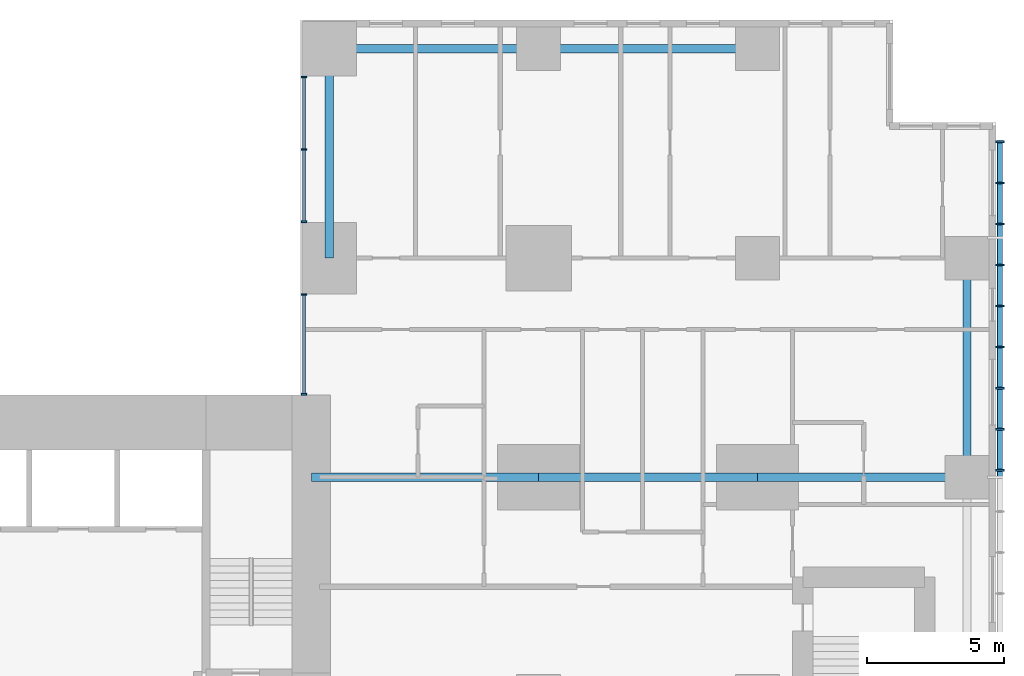
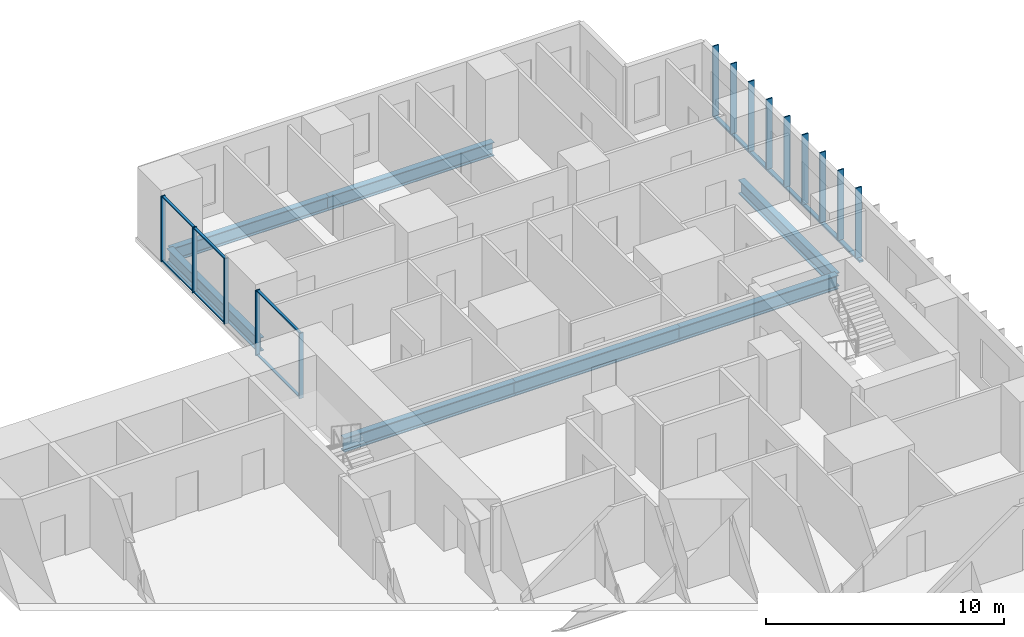
# One storey, part 3 of 12: 21 members, 7 beams, 2 elements without a shape of their own.
"""IFC4 building model written with IfcOpenShell, lengths in metres."""

from ifc_helpers import new_model, si_unit, direction, frame, origin, origin_2d, place, context, subcontext, project, spatial, rectangle, hollow_rectangle, i_section, extrude, material, layer, layer_set, material_profile, profile_set, type_object, element, aggregate, save


model = new_model("IFC4")

# Units and contexts
model_context = context("Model", 3, precision=1e-05, world=origin(), true_north=direction((0.0, 1.0)))
body_context = subcontext(model_context, "Body", "Model", "MODEL_VIEW")
ifc_project = project(units=[si_unit("LENGTHUNIT", "METRE"), si_unit("AREAUNIT", "SQUARE_METRE"), si_unit("VOLUMEUNIT", "CUBIC_METRE"), si_unit("PLANEANGLEUNIT", "RADIAN"), si_unit("MASSUNIT", "GRAM", prefix="KILO")], contexts=[model_context])

# Site, building, storey
site_placement = place(None, origin())
site = spatial("IfcSite", under=ifc_project, at=site_placement, CompositionType="ELEMENT")
building_placement = place(site_placement, origin())
building = spatial("IfcBuilding", under=site, at=building_placement, Name="Cleftline Residences", CompositionType="ELEMENT")
storey_placement = place(building_placement, frame((0.0, 0.0, 234.0)))
storey = spatial("IfcBuildingStorey", under=building, at=storey_placement, Name="L61", CompositionType="ELEMENT", Elevation=234.0)

# Member
ifc_material_1 = material(Name="Steel S355, hot-dip galvanised", Category="steel")
ifc_material_profile_1 = material_profile(ifc_material_1, hollow_rectangle(XDim=0.10009765625, YDim=0.199951171875, WallThickness=0.008056640625, InnerFilletRadius=0.008056640625, OuterFilletRadius=0.011962890625, at=origin_2d()))
ifc_profile_set_1 = profile_set([ifc_material_profile_1], Name="Steel S355, hot-dip galvanised")
member_type_1 = type_object("IfcMemberType", Name="BAGUETTE CARRIER RHS 200X100X8", PredefinedType="USERDEFINED", material=ifc_profile_set_1)
member_1_placement = place(storey_placement, frame((66.85009765625, 32.0, -0.050048828125), z_axis=(0.0, 1.0, 0.0), x_axis=(0.0, 0.0, 1.0)))
element("IfcMember", 1, at=member_1_placement, inside=storey, type_object=member_type_1, Name="Baguette carrier", ObjectType="BAGUETTE CARRIER", PredefinedType="USERDEFINED", context=body_context, shape_type="SweptSolid", body=[
    extrude(hollow_rectangle(XDim=0.10009765625, YDim=0.199951171875, WallThickness=0.008056640625, InnerFilletRadius=0.008056640625, OuterFilletRadius=0.011962890625, at=origin_2d()), origin(), (0.0, 0.0, 1.0), 12.300048828125),
])

# Beams
ifc_material_2 = material(Name="Steel S355", Category="steel")
ifc_material_profile_2 = material_profile(ifc_material_2, i_section(OverallWidth=0.300048828125, OverallDepth=0.699951171875, WebThickness=0.01708984375, FlangeThickness=0.031982421875, FilletRadius=0.027099609375, at=origin_2d()))
ifc_profile_set_2 = profile_set([ifc_material_profile_2], Name="Steel S355")
beam_type_1 = type_object("IfcBeamType", Name="BEAM HEB 700", PredefinedType="BEAM", material=ifc_profile_set_2)
for number, where, z_axis, x_axis, name in (
    (2, (65.64990234375, 32.0, -0.60009765625), (0.0, 1.0, 0.0), (-1.0, 0.0, 0.0), "Edge beam"),
    (3, (58.0, 47.64990234375, -0.60009765625), (-1.0, 0.0, 0.0), (0.0, -1.0, 0.0), "Edge beam"),
):
    element("IfcBeam", number, at=place(storey_placement, frame(where, z_axis=z_axis, x_axis=x_axis)), inside=storey, type_object=beam_type_1, Name=name, PredefinedType="BEAM", context=body_context, shape_type="SweptSolid", body=[
        extrude(i_section(OverallWidth=0.300048828125, OverallDepth=0.699951171875, WebThickness=0.01708984375, FlangeThickness=0.031982421875, FilletRadius=0.027099609375, at=origin_2d()), origin(), (0.0, 0.0, 1.0), 8.0),
    ])
for number, where, z_axis, x_axis, name in (
    (4, (50.0, 47.64990234375, -0.60009765625), (-1.0, 0.0, 0.0), (0.0, -1.0, 0.0), "Edge beam"),
    (5, (42.35009765625, 47.64990234375, -0.60009765625), (0.0, -1.0, 0.0), (1.0, 0.0, 0.0), "Edge beam"),
):
    element("IfcBeam", number, at=place(storey_placement, frame(where, z_axis=z_axis, x_axis=x_axis)), inside=storey, type_object=beam_type_1, Name=name, PredefinedType="BEAM", context=body_context, shape_type="SweptSolid", body=[
        extrude(i_section(OverallWidth=0.300048828125, OverallDepth=0.699951171875, WebThickness=0.01708984375, FlangeThickness=0.031982421875, FilletRadius=0.027099609375, at=origin_2d()), origin(), (0.0, 0.0, 1.0), 7.64990234375),
    ])
ifc_material_3 = material(Name="Steel S355", Category="steel")
ifc_material_profile_3 = material_profile(ifc_material_3, i_section(OverallWidth=0.303955078125, OverallDepth=0.716064453125, WebThickness=0.02099609375, FlangeThickness=0.0400390625, FilletRadius=0.027099609375, at=origin_2d()))
ifc_profile_set_3 = profile_set([ifc_material_profile_3], Name="Steel S355")
beam_type_2 = type_object("IfcBeamType", Name="BEAM HEM 700", PredefinedType="BEAM", material=ifc_profile_set_3)
beam_1_placement = place(storey_placement, frame((65.64990234375, 32.0, -0.60791015625), z_axis=(-1.0, 0.0, 0.0), x_axis=(0.0, -1.0, 0.0)))
element("IfcBeam", 6, at=beam_1_placement, inside=storey, type_object=beam_type_2, Name="Band beam", PredefinedType="BEAM", context=body_context, shape_type="SweptSolid", body=[
    extrude(i_section(OverallWidth=0.303955078125, OverallDepth=0.716064453125, WebThickness=0.02099609375, FlangeThickness=0.0400390625, FilletRadius=0.027099609375, at=origin_2d()), origin(), (0.0, 0.0, 1.0), 7.64990234375),
])
beam_2_placement = place(storey_placement, frame((58.0, 32.0, -0.60791015625), z_axis=(-1.0, 0.0, 0.0), x_axis=(0.0, -1.0, 0.0)))
element("IfcBeam", 7, at=beam_2_placement, inside=storey, type_object=beam_type_2, Name="Band beam", PredefinedType="BEAM", context=body_context, shape_type="SweptSolid", body=[
    extrude(i_section(OverallWidth=0.303955078125, OverallDepth=0.716064453125, WebThickness=0.02099609375, FlangeThickness=0.0400390625, FilletRadius=0.027099609375, at=origin_2d()), origin(), (0.0, 0.0, 1.0), 8.0),
])
beam_3_placement = place(storey_placement, frame((50.0, 32.0, -0.60791015625), z_axis=(-1.0, 0.0, 0.0), x_axis=(0.0, -1.0, 0.0)))
element("IfcBeam", 8, at=beam_3_placement, inside=storey, type_object=beam_type_2, Name="Band beam", PredefinedType="BEAM", context=body_context, shape_type="SweptSolid", body=[
    extrude(i_section(OverallWidth=0.303955078125, OverallDepth=0.716064453125, WebThickness=0.02099609375, FlangeThickness=0.0400390625, FilletRadius=0.027099609375, at=origin_2d()), origin(), (0.0, 0.0, 1.0), 8.300048828125),
])

# Curtain wall, members
ifc_material_4 = material(Name="Aluminium framed curtain wall", Category="aluminium")
ifc_layer = layer(ifc_material_4, 0.199951171875)
ifc_layer_set = layer_set([ifc_layer], Name="CW1 CLEFT GLAZING")
curtain_wall_type = type_object("IfcCurtainWallType", Name="CW1 CLEFT GLAZING", PredefinedType="NOTDEFINED", material=ifc_layer_set)
curtain_wall_1_placement = place(storey_placement, origin())
curtain_wall_1 = element("IfcCurtainWall", 9, at=curtain_wall_1_placement, inside=storey, type_object=curtain_wall_type, Name="Curtain wall CW1", PredefinedType="NOTDEFINED")
ifc_material_5 = material(Name="Aluminium mullion", Category="aluminium")
ifc_material_profile_4 = material_profile(ifc_material_5, rectangle(XDim=0.199951171875, YDim=0.06005859375, at=origin_2d()))
ifc_profile_set_4 = profile_set([ifc_material_profile_4], Name="Aluminium mullion")
member_type_2 = type_object("IfcMemberType", Name="CW1 MULLION", PredefinedType="MULLION", material=ifc_profile_set_4)
member_2_placement = place(storey_placement, frame((41.425048828125, 46.6201171875, 0.0), z_axis=(0.0, 0.0, 1.0), x_axis=(1.0, 0.0, 0.0)))
member_2 = element("IfcMember", 10, at=member_2_placement, type_object=member_type_2, Name="CW1 mullion 1", PredefinedType="MULLION", context=body_context, shape_type="SweptSolid", body=[
    extrude(rectangle(XDim=0.199951171875, YDim=0.06005859375, at=origin_2d()), origin(), (0.0, 0.0, 1.0), 3.35009765625),
])
member_3_placement = place(storey_placement, frame((41.425048828125, 43.97509765625, 0.0), z_axis=(0.0, 0.0, 1.0), x_axis=(1.0, 0.0, 0.0)))
member_3 = element("IfcMember", 11, at=member_3_placement, type_object=member_type_2, Name="CW1 mullion 2", PredefinedType="MULLION", context=body_context, shape_type="SweptSolid", body=[
    extrude(rectangle(XDim=0.199951171875, YDim=0.06005859375, at=origin_2d()), origin(), (0.0, 0.0, 1.0), 3.35009765625),
])
member_4_placement = place(storey_placement, frame((41.425048828125, 41.330078125, 0.0), z_axis=(0.0, 0.0, 1.0), x_axis=(1.0, 0.0, 0.0)))
member_4 = element("IfcMember", 12, at=member_4_placement, type_object=member_type_2, Name="CW1 mullion 3", PredefinedType="MULLION", context=body_context, shape_type="SweptSolid", body=[
    extrude(rectangle(XDim=0.199951171875, YDim=0.06005859375, at=origin_2d()), origin(), (0.0, 0.0, 1.0), 3.35009765625),
])

curtain_wall_2_placement = place(storey_placement, origin())
curtain_wall_2 = element("IfcCurtainWall", 13, at=curtain_wall_2_placement, inside=storey, type_object=curtain_wall_type, Name="Curtain wall CW1", PredefinedType="NOTDEFINED")
member_5_placement = place(storey_placement, frame((41.425048828125, 38.669921875, 0.0), z_axis=(0.0, 0.0, 1.0), x_axis=(1.0, 0.0, 0.0)))
member_5 = element("IfcMember", 14, at=member_5_placement, type_object=member_type_2, Name="CW1 mullion 1", PredefinedType="MULLION", context=body_context, shape_type="SweptSolid", body=[
    extrude(rectangle(XDim=0.199951171875, YDim=0.06005859375, at=origin_2d()), origin(), (0.0, 0.0, 1.0), 3.35009765625),
])
member_6_placement = place(storey_placement, frame((41.425048828125, 35.030029296875, 0.0), z_axis=(0.0, 0.0, 1.0), x_axis=(1.0, 0.0, 0.0)))
member_6 = element("IfcMember", 15, at=member_6_placement, type_object=member_type_2, Name="CW1 mullion 2", PredefinedType="MULLION", context=body_context, shape_type="SweptSolid", body=[
    extrude(rectangle(XDim=0.199951171875, YDim=0.06005859375, at=origin_2d()), origin(), (0.0, 0.0, 1.0), 3.35009765625),
])

# Member
ifc_material_6 = material(Name="Aluminium transom", Category="aluminium")
ifc_material_profile_5 = material_profile(ifc_material_6, rectangle(XDim=0.1201171875, YDim=0.06005859375, at=origin_2d()))
ifc_profile_set_5 = profile_set([ifc_material_profile_5], Name="Aluminium transom")
member_type_3 = type_object("IfcMemberType", Name="CW1 TRANSOM", PredefinedType="USERDEFINED", material=ifc_profile_set_5)
member_7_placement = place(storey_placement, frame((41.425048828125, 46.590087890625, 0.030029296875), z_axis=(0.0, -1.0, 0.0), x_axis=(1.0, 0.0, 0.0)))
member_7 = element("IfcMember", 16, at=member_7_placement, type_object=member_type_3, Name="CW1 transom 1.1", ObjectType="TRANSOM", PredefinedType="USERDEFINED", context=body_context, shape_type="SweptSolid", body=[
    extrude(rectangle(XDim=0.1201171875, YDim=0.06005859375, at=origin_2d()), origin(), (0.0, 0.0, 1.0), 2.585205078125),
])

member_8_placement = place(storey_placement, frame((41.425048828125, 46.590087890625, 3.320068359375), z_axis=(0.0, -1.0, 0.0), x_axis=(1.0, 0.0, 0.0)))
member_8 = element("IfcMember", 17, at=member_8_placement, type_object=member_type_3, Name="CW1 transom 1.2", ObjectType="TRANSOM", PredefinedType="USERDEFINED", context=body_context, shape_type="SweptSolid", body=[
    extrude(rectangle(XDim=0.1201171875, YDim=0.06005859375, at=origin_2d()), origin(), (0.0, 0.0, 1.0), 2.585205078125),
])

member_9_placement = place(storey_placement, frame((41.425048828125, 43.945068359375, 0.030029296875), z_axis=(0.0, -1.0, 0.0), x_axis=(1.0, 0.0, 0.0)))
member_9 = element("IfcMember", 18, at=member_9_placement, type_object=member_type_3, Name="CW1 transom 2.1", ObjectType="TRANSOM", PredefinedType="USERDEFINED", context=body_context, shape_type="SweptSolid", body=[
    extrude(rectangle(XDim=0.1201171875, YDim=0.06005859375, at=origin_2d()), origin(), (0.0, 0.0, 1.0), 2.5849609375),
])

member_10_placement = place(storey_placement, frame((41.425048828125, 43.945068359375, 3.320068359375), z_axis=(0.0, -1.0, 0.0), x_axis=(1.0, 0.0, 0.0)))
member_10 = element("IfcMember", 19, at=member_10_placement, type_object=member_type_3, Name="CW1 transom 2.2", ObjectType="TRANSOM", PredefinedType="USERDEFINED", context=body_context, shape_type="SweptSolid", body=[
    extrude(rectangle(XDim=0.1201171875, YDim=0.06005859375, at=origin_2d()), origin(), (0.0, 0.0, 1.0), 2.5849609375),
])

aggregate(curtain_wall_1, [member_2, member_3, member_4, member_7, member_8, member_9, member_10])

member_11_placement = place(storey_placement, frame((41.425048828125, 38.639892578125, 0.030029296875), z_axis=(0.0, -1.0, 0.0), x_axis=(1.0, 0.0, 0.0)))
member_11 = element("IfcMember", 20, at=member_11_placement, type_object=member_type_3, Name="CW1 transom 1.1", ObjectType="TRANSOM", PredefinedType="USERDEFINED", context=body_context, shape_type="SweptSolid", body=[
    extrude(rectangle(XDim=0.1201171875, YDim=0.06005859375, at=origin_2d()), origin(), (0.0, 0.0, 1.0), 3.579833984375),
])

member_12_placement = place(storey_placement, frame((41.425048828125, 38.639892578125, 3.320068359375), z_axis=(0.0, -1.0, 0.0), x_axis=(1.0, 0.0, 0.0)))
member_12 = element("IfcMember", 21, at=member_12_placement, type_object=member_type_3, Name="CW1 transom 1.2", ObjectType="TRANSOM", PredefinedType="USERDEFINED", context=body_context, shape_type="SweptSolid", body=[
    extrude(rectangle(XDim=0.1201171875, YDim=0.06005859375, at=origin_2d()), origin(), (0.0, 0.0, 1.0), 3.579833984375),
])

aggregate(curtain_wall_2, [member_5, member_6, member_11, member_12])

# Members
ifc_material_7 = material(Name="Extruded terracotta", Category="masonry")
ifc_material_profile_6 = material_profile(ifc_material_7, rectangle(XDim=0.06005859375, YDim=0.300048828125, at=origin_2d()))
ifc_profile_set_6 = profile_set([ifc_material_profile_6], Name="Extruded terracotta")
member_type_4 = type_object("IfcMemberType", Name="TERRACOTTA BAGUETTE 60X300", PredefinedType="USERDEFINED", material=ifc_profile_set_6)
for number, where, z_axis, x_axis, name in (
    (22, (66.85009765625, 32.25, 0.0), (0.0, 0.0, 1.0), (0.0, 1.0, 0.0), "Terracotta baguette"),
    (23, (66.85009765625, 33.75, 0.0), (0.0, 0.0, 1.0), (0.0, 1.0, 0.0), "Terracotta baguette"),
    (24, (66.85009765625, 35.25, 0.0), (0.0, 0.0, 1.0), (0.0, 1.0, 0.0), "Terracotta baguette"),
    (25, (66.85009765625, 36.75, 0.0), (0.0, 0.0, 1.0), (0.0, 1.0, 0.0), "Terracotta baguette"),
    (26, (66.85009765625, 38.25, 0.0), (0.0, 0.0, 1.0), (0.0, 1.0, 0.0), "Terracotta baguette"),
    (27, (66.85009765625, 39.75, 0.0), (0.0, 0.0, 1.0), (0.0, 1.0, 0.0), "Terracotta baguette"),
    (28, (66.85009765625, 41.25, 0.0), (0.0, 0.0, 1.0), (0.0, 1.0, 0.0), "Terracotta baguette"),
    (29, (66.85009765625, 42.75, 0.0), (0.0, 0.0, 1.0), (0.0, 1.0, 0.0), "Terracotta baguette"),
    (30, (66.85009765625, 44.25, 0.0), (0.0, 0.0, 1.0), (0.0, 1.0, 0.0), "Terracotta baguette"),
):
    element("IfcMember", number, at=place(storey_placement, frame(where, z_axis=z_axis, x_axis=x_axis)), inside=storey, type_object=member_type_4, Name=name, ObjectType="BAGUETTE", PredefinedType="USERDEFINED", context=body_context, shape_type="SweptSolid", body=[
        extrude(rectangle(XDim=0.06005859375, YDim=0.300048828125, at=origin_2d()), origin(), (0.0, 0.0, 1.0), 3.60009765625),
    ])

save(model, "model.ifc")
